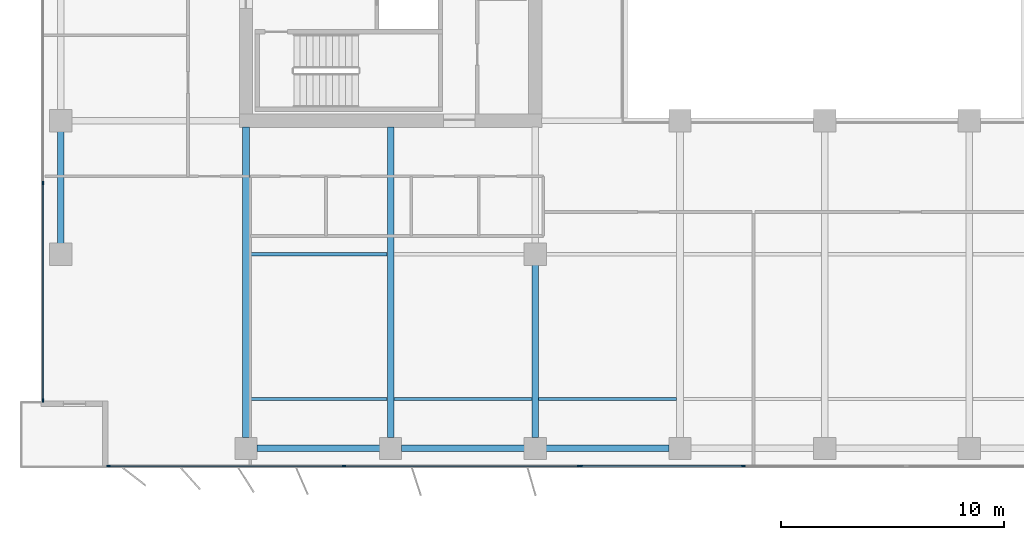
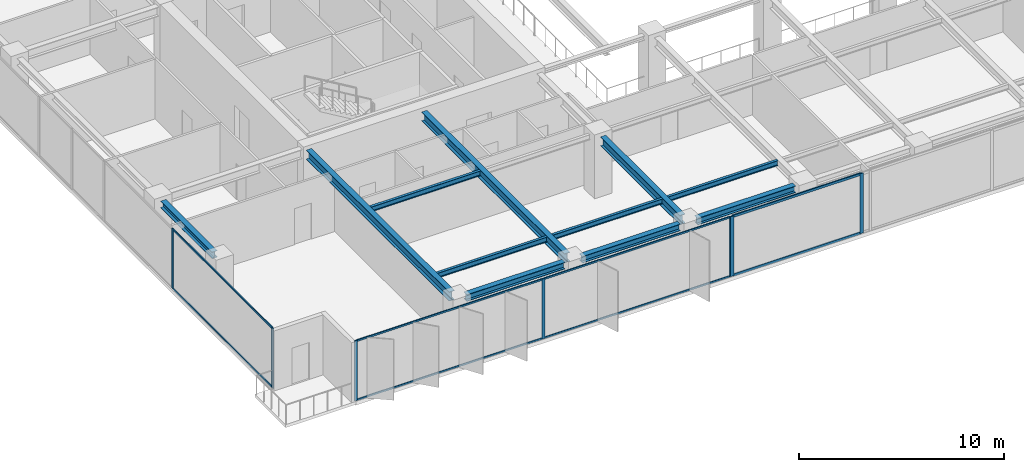
# One storey, part 2 of 22: 15 members, 11 beams, 3 elements without a shape of their own.
"""IFC4 building model written with IfcOpenShell, lengths in metres."""

from ifc_helpers import new_model, si_unit, direction, frame, origin, origin_2d, place, context, subcontext, project, spatial, rectangle, i_section, extrude, material, layer, layer_set, material_profile, profile_set, type_object, element, aggregate, save


model = new_model("IFC4")

# Units and contexts
model_context = context("Model", 3, precision=1e-05, world=origin(), true_north=direction((0.0, 1.0)))
body_context = subcontext(model_context, "Body", "Model", "MODEL_VIEW")
ifc_project = project(units=[si_unit("LENGTHUNIT", "METRE"), si_unit("AREAUNIT", "SQUARE_METRE"), si_unit("VOLUMEUNIT", "CUBIC_METRE"), si_unit("PLANEANGLEUNIT", "RADIAN"), si_unit("MASSUNIT", "GRAM", prefix="KILO")], contexts=[model_context])

# Site, building, storey
site_placement = place(None, origin())
site = spatial("IfcSite", under=ifc_project, at=site_placement, CompositionType="ELEMENT")
building_placement = place(site_placement, origin())
building = spatial("IfcBuilding", under=site, at=building_placement, Name="Putna Gate Headquarters", CompositionType="ELEMENT")
storey_placement = place(building_placement, frame((0.0, 0.0, 159.39990234375)))
storey = spatial("IfcBuildingStorey", under=building, at=storey_placement, Name="L39", CompositionType="ELEMENT", Elevation=159.39990234375)

# Beams
ifc_material_1 = material(Name="Steel S355J2", Category="steel")
ifc_material_profile_1 = material_profile(ifc_material_1, i_section(OverallWidth=0.300048828125, OverallDepth=0.550048828125, WebThickness=0.014892578125, FlangeThickness=0.029052734375, at=origin_2d()), Name="Steel S355J2")
ifc_profile_set_1 = profile_set([ifc_material_profile_1], Name="Steel S355J2")
beam_type_1 = type_object("IfcBeamType", Name="BM-GIRD-Z3-HEB550", PredefinedType="USERDEFINED", material=ifc_profile_set_1)
for number, where, z_axis, x_axis, name in (
    (1, (13.0, 4.76806640625, 3.297119140625), (0.0, 1.0, 0.0), (-1.0, 0.0, 0.0), "L39 South Primary Girder X13"),
    (2, (19.5, 4.76806640625, 3.297119140625), (0.0, 1.0, 0.0), (-1.0, 0.0, 0.0), "L39 South Primary Girder X19"),
):
    element("IfcBeam", number, at=place(storey_placement, frame(where, z_axis=z_axis, x_axis=x_axis)), inside=storey, type_object=beam_type_1, Name=name, ObjectType="GIRDER", PredefinedType="USERDEFINED", context=body_context, shape_type="SweptSolid", body=[
        extrude(i_section(OverallWidth=0.300048828125, OverallDepth=0.550048828125, WebThickness=0.014892578125, FlangeThickness=0.029052734375, at=origin_2d()), origin(), (0.0, 0.0, 1.0), 13.947021484375),
    ])
beam_1_placement = place(storey_placement, frame((26.0, 4.76806640625, 3.297119140625), z_axis=(0.0, 1.0, 0.0), x_axis=(-1.0, 0.0, 0.0)))
element("IfcBeam", 3, at=beam_1_placement, inside=storey, type_object=beam_type_1, Name="L39 South Primary Girder X26-1", ObjectType="GIRDER", PredefinedType="USERDEFINED", context=body_context, shape_type="SweptSolid", body=[
    extrude(i_section(OverallWidth=0.300048828125, OverallDepth=0.550048828125, WebThickness=0.014892578125, FlangeThickness=0.029052734375, at=origin_2d()), origin(), (0.0, 0.0, 1.0), 7.743896484375),
])
ifc_material_profile_2 = material_profile(ifc_material_1, i_section(OverallWidth=0.14990234375, OverallDepth=0.300048828125, WebThickness=0.007080078125, FlangeThickness=0.0107421875, at=origin_2d()), Name="Steel S355J2")
ifc_profile_set_2 = profile_set([ifc_material_profile_2], Name="Steel S355J2")
beam_type_2 = type_object("IfcBeamType", Name="BM-SEC-Z3-IPE300", PredefinedType="JOIST", material=ifc_profile_set_2)
for number, where, z_axis, x_axis, name in (
    (4, (13.154052734375, 6.5, 3.422119140625), (1.0, 0.0, 0.0), (0.0, 1.0, 0.0), "L39 South Secondary Beam 1"),
    (5, (13.154052734375, 13.0, 3.422119140625), (1.0, 0.0, 0.0), (0.0, 1.0, 0.0), "L39 South Secondary Beam 1"),
    (6, (19.654052734375, 6.5, 3.422119140625), (1.0, 0.0, 0.0), (0.0, 1.0, 0.0), "L39 South Secondary Beam 2"),
    (7, (26.154052734375, 6.5, 3.422119140625), (1.0, 0.0, 0.0), (0.0, 1.0, 0.0), "L39 South Secondary Beam 3"),
):
    element("IfcBeam", number, at=place(storey_placement, frame(where, z_axis=z_axis, x_axis=x_axis)), inside=storey, type_object=beam_type_2, Name=name, PredefinedType="JOIST", context=body_context, shape_type="SweptSolid", body=[
        extrude(i_section(OverallWidth=0.14990234375, OverallDepth=0.300048828125, WebThickness=0.007080078125, FlangeThickness=0.0107421875, at=origin_2d()), origin(), (0.0, 0.0, 1.0), 6.19189453125),
    ])
ifc_material_profile_3 = material_profile(ifc_material_1, i_section(OverallWidth=0.300048828125, OverallDepth=0.39990234375, WebThickness=0.013427734375, FlangeThickness=0.02392578125, at=origin_2d()), Name="Steel S355J2")
ifc_profile_set_3 = profile_set([ifc_material_profile_3], Name="Steel S355J2")
beam_type_3 = type_object("IfcBeamType", Name="BM-SPAN-Z3-HEB400", PredefinedType="SPANDREL", material=ifc_profile_set_3)
for number, where, z_axis, x_axis, name in (
    (8, (13.488037109375, 4.280029296875, 3.3720703125), (1.0, 0.0, 0.0), (0.0, 1.0, 0.0), "L39 S Perimeter Spandrel 1"),
    (9, (19.988037109375, 4.280029296875, 3.3720703125), (1.0, 0.0, 0.0), (0.0, 1.0, 0.0), "L39 S Perimeter Spandrel 2"),
    (10, (26.488037109375, 4.280029296875, 3.3720703125), (1.0, 0.0, 0.0), (0.0, 1.0, 0.0), "L39 S Perimeter Spandrel 3"),
):
    element("IfcBeam", number, at=place(storey_placement, frame(where, z_axis=z_axis, x_axis=x_axis)), inside=storey, type_object=beam_type_3, Name=name, PredefinedType="SPANDREL", context=body_context, shape_type="SweptSolid", body=[
        extrude(i_section(OverallWidth=0.300048828125, OverallDepth=0.39990234375, WebThickness=0.013427734375, FlangeThickness=0.02392578125, at=origin_2d()), origin(), (0.0, 0.0, 1.0), 5.52392578125),
    ])
beam_2_placement = place(storey_placement, frame((4.679931640625, 13.488037109375, 3.3720703125), z_axis=(0.0, 1.0, 0.0), x_axis=(-1.0, 0.0, 0.0)))
element("IfcBeam", 11, at=beam_2_placement, inside=storey, type_object=beam_type_3, Name="L39 W End Spandrel 1", PredefinedType="SPANDREL", context=body_context, shape_type="SweptSolid", body=[
    extrude(i_section(OverallWidth=0.300048828125, OverallDepth=0.39990234375, WebThickness=0.013427734375, FlangeThickness=0.02392578125, at=origin_2d()), origin(), (0.0, 0.0, 1.0), 5.02392578125),
])

# Curtain wall, members
ifc_material_2 = material(Name="Anodised bronze aluminium curtain wall", Category="aluminium")
ifc_layer_1 = layer(ifc_material_2, 0.159912109375)
ifc_layer_set_1 = layer_set([ifc_layer_1], Name="Anodised bronze aluminium curtain wall")
curtain_wall_type_1 = type_object("IfcCurtainWallType", Name="CW-SYS-Z3", PredefinedType="USERDEFINED", material=ifc_layer_set_1)
curtain_wall_1_placement = place(storey_placement, origin())
curtain_wall_1 = element("IfcCurtainWall", 12, at=curtain_wall_1_placement, inside=storey, type_object=curtain_wall_type_1, Name="L39 South West Curtain Wall", ObjectType="STICK CURTAIN WALL", PredefinedType="USERDEFINED")
ifc_material_3 = material(Name="Anodised bronze aluminium EN AW-6060", Category="aluminium")
ifc_material_profile_4 = material_profile(ifc_material_3, rectangle(XDim=0.06494140625, YDim=0.159912109375, at=origin_2d()), Name="Anodised bronze aluminium EN AW-6060")
ifc_profile_set_4 = profile_set([ifc_material_profile_4], Name="Anodised bronze aluminium EN AW-6060")
member_type_1 = type_object("IfcMemberType", Name="MULL-CWM-3", PredefinedType="MULLION", material=ifc_profile_set_4)
member_1_placement = place(storey_placement, frame((6.83251953125, 3.47998046875, 0.0), z_axis=(0.0, 0.0, 1.0), x_axis=(0.0, 1.0, 0.0)))
member_1 = element("IfcMember", 13, at=member_1_placement, type_object=member_type_1, Name="CWS-3 mullion 1", PredefinedType="MULLION", context=body_context, shape_type="SweptSolid", body=[
    extrude(rectangle(XDim=0.06494140625, YDim=0.159912109375, at=origin_2d()), origin(), (0.0, 0.0, 1.0), 3.572021484375),
])
member_2_placement = place(storey_placement, frame((17.39990234375, 3.47998046875, 0.0), z_axis=(0.0, 0.0, 1.0), x_axis=(0.0, 1.0, 0.0)))
member_2 = element("IfcMember", 14, at=member_2_placement, type_object=member_type_1, Name="CWS-3 mullion 2", PredefinedType="MULLION", context=body_context, shape_type="SweptSolid", body=[
    extrude(rectangle(XDim=0.06494140625, YDim=0.159912109375, at=origin_2d()), origin(), (0.0, 0.0, 1.0), 3.572021484375),
])
member_3_placement = place(storey_placement, frame((27.967529296875, 3.47998046875, 0.0), z_axis=(0.0, 0.0, 1.0), x_axis=(0.0, 1.0, 0.0)))
member_3 = element("IfcMember", 15, at=member_3_placement, type_object=member_type_1, Name="CWS-3 mullion 3", PredefinedType="MULLION", context=body_context, shape_type="SweptSolid", body=[
    extrude(rectangle(XDim=0.06494140625, YDim=0.159912109375, at=origin_2d()), origin(), (0.0, 0.0, 1.0), 3.572021484375),
])

curtain_wall_2_placement = place(storey_placement, origin())
curtain_wall_2 = element("IfcCurtainWall", 16, at=curtain_wall_2_placement, inside=storey, type_object=curtain_wall_type_1, Name="L39 West Curtain Wall", ObjectType="STICK CURTAIN WALL", PredefinedType="USERDEFINED")
member_4_placement = place(storey_placement, frame((3.8798828125, 6.4326171875, 0.0), z_axis=(0.0, 0.0, 1.0), x_axis=(-1.0, 0.0, 0.0)))
member_4 = element("IfcMember", 17, at=member_4_placement, type_object=member_type_1, Name="CWS-3 mullion 1", PredefinedType="MULLION", context=body_context, shape_type="SweptSolid", body=[
    extrude(rectangle(XDim=0.06494140625, YDim=0.159912109375, at=origin_2d()), origin(), (0.0, 0.0, 1.0), 3.572021484375),
])
member_5_placement = place(storey_placement, frame((3.8798828125, 16.199951171875, 0.0), z_axis=(0.0, 0.0, 1.0), x_axis=(-1.0, 0.0, 0.0)))
member_5 = element("IfcMember", 18, at=member_5_placement, type_object=member_type_1, Name="CWS-3 mullion 2", PredefinedType="MULLION", context=body_context, shape_type="SweptSolid", body=[
    extrude(rectangle(XDim=0.06494140625, YDim=0.159912109375, at=origin_2d()), origin(), (0.0, 0.0, 1.0), 3.572021484375),
])

ifc_layer_2 = layer(ifc_material_2, 0.179931640625)
ifc_layer_set_2 = layer_set([ifc_layer_2], Name="Anodised bronze aluminium curtain wall")
curtain_wall_type_2 = type_object("IfcCurtainWallType", Name="CW-SYS-ATR", PredefinedType="USERDEFINED", material=ifc_layer_set_2)
curtain_wall_3_placement = place(storey_placement, origin())
curtain_wall_3 = element("IfcCurtainWall", 19, at=curtain_wall_3_placement, inside=storey, type_object=curtain_wall_type_2, Name="L39 South Atrium Clear Glazing", ObjectType="ATRIUM GLAZING", PredefinedType="USERDEFINED")
ifc_material_profile_5 = material_profile(ifc_material_3, rectangle(XDim=0.070068359375, YDim=0.179931640625, at=origin_2d()), Name="Anodised bronze aluminium EN AW-6060")
ifc_profile_set_5 = profile_set([ifc_material_profile_5], Name="Anodised bronze aluminium EN AW-6060")
member_type_2 = type_object("IfcMemberType", Name="MULL-CWM-AT", PredefinedType="MULLION", material=ifc_profile_set_5)
member_6_placement = place(storey_placement, frame((28.034912109375, 3.47998046875, 0.0), z_axis=(0.0, 0.0, 1.0), x_axis=(0.0, 1.0, 0.0)))
member_6 = element("IfcMember", 20, at=member_6_placement, type_object=member_type_2, Name="CWS-AT mullion 1", PredefinedType="MULLION", context=body_context, shape_type="SweptSolid", body=[
    extrude(rectangle(XDim=0.070068359375, YDim=0.179931640625, at=origin_2d()), origin(), (0.0, 0.0, 1.0), 3.572021484375),
])
member_7_placement = place(storey_placement, frame((35.333251953125, 3.47998046875, 0.0), z_axis=(0.0, 0.0, 1.0), x_axis=(0.0, 1.0, 0.0)))
member_7 = element("IfcMember", 21, at=member_7_placement, type_object=member_type_2, Name="CWS-AT mullion 2", PredefinedType="MULLION", context=body_context, shape_type="SweptSolid", body=[
    extrude(rectangle(XDim=0.070068359375, YDim=0.179931640625, at=origin_2d()), origin(), (0.0, 0.0, 1.0), 3.572021484375),
])

# Member
ifc_material_profile_6 = material_profile(ifc_material_3, rectangle(XDim=0.06005859375, YDim=0.10009765625, at=origin_2d()), Name="Anodised bronze aluminium EN AW-6060")
ifc_profile_set_6 = profile_set([ifc_material_profile_6], Name="Anodised bronze aluminium EN AW-6060")
member_type_3 = type_object("IfcMemberType", Name="TRAN-CWT-3", PredefinedType="USERDEFINED", material=ifc_profile_set_6)
member_8_placement = place(storey_placement, frame((6.864990234375, 3.47998046875, 0.030029296875), z_axis=(1.0, 0.0, 0.0), x_axis=(0.0, 1.0, 0.0)))
member_8 = element("IfcMember", 22, at=member_8_placement, type_object=member_type_3, Name="CWS-3 transom 1.1", ObjectType="TRANSOM", PredefinedType="USERDEFINED", context=body_context, shape_type="SweptSolid", body=[
    extrude(rectangle(XDim=0.06005859375, YDim=0.10009765625, at=origin_2d()), origin(), (0.0, 0.0, 1.0), 10.50244140625),
])

member_9_placement = place(storey_placement, frame((6.864990234375, 3.47998046875, 3.5419921875), z_axis=(1.0, 0.0, 0.0), x_axis=(0.0, 1.0, 0.0)))
member_9 = element("IfcMember", 23, at=member_9_placement, type_object=member_type_3, Name="CWS-3 transom 1.2", ObjectType="TRANSOM", PredefinedType="USERDEFINED", context=body_context, shape_type="SweptSolid", body=[
    extrude(rectangle(XDim=0.06005859375, YDim=0.10009765625, at=origin_2d()), origin(), (0.0, 0.0, 1.0), 10.50244140625),
])

member_10_placement = place(storey_placement, frame((17.4326171875, 3.47998046875, 0.030029296875), z_axis=(1.0, 0.0, 0.0), x_axis=(0.0, 1.0, 0.0)))
member_10 = element("IfcMember", 24, at=member_10_placement, type_object=member_type_3, Name="CWS-3 transom 2.1", ObjectType="TRANSOM", PredefinedType="USERDEFINED", context=body_context, shape_type="SweptSolid", body=[
    extrude(rectangle(XDim=0.06005859375, YDim=0.10009765625, at=origin_2d()), origin(), (0.0, 0.0, 1.0), 10.50244140625),
])

member_11_placement = place(storey_placement, frame((17.4326171875, 3.47998046875, 3.5419921875), z_axis=(1.0, 0.0, 0.0), x_axis=(0.0, 1.0, 0.0)))
member_11 = element("IfcMember", 25, at=member_11_placement, type_object=member_type_3, Name="CWS-3 transom 2.2", ObjectType="TRANSOM", PredefinedType="USERDEFINED", context=body_context, shape_type="SweptSolid", body=[
    extrude(rectangle(XDim=0.06005859375, YDim=0.10009765625, at=origin_2d()), origin(), (0.0, 0.0, 1.0), 10.50244140625),
])

aggregate(curtain_wall_1, [member_1, member_2, member_3, member_8, member_9, member_10, member_11])

member_12_placement = place(storey_placement, frame((3.8798828125, 6.465087890625, 0.030029296875), z_axis=(0.0, 1.0, 0.0), x_axis=(-1.0, 0.0, 0.0)))
member_12 = element("IfcMember", 26, at=member_12_placement, type_object=member_type_3, Name="CWS-3 transom 1.1", ObjectType="TRANSOM", PredefinedType="USERDEFINED", context=body_context, shape_type="SweptSolid", body=[
    extrude(rectangle(XDim=0.06005859375, YDim=0.10009765625, at=origin_2d()), origin(), (0.0, 0.0, 1.0), 9.702392578125),
])

member_13_placement = place(storey_placement, frame((3.8798828125, 6.465087890625, 3.5419921875), z_axis=(0.0, 1.0, 0.0), x_axis=(-1.0, 0.0, 0.0)))
member_13 = element("IfcMember", 27, at=member_13_placement, type_object=member_type_3, Name="CWS-3 transom 1.2", ObjectType="TRANSOM", PredefinedType="USERDEFINED", context=body_context, shape_type="SweptSolid", body=[
    extrude(rectangle(XDim=0.06005859375, YDim=0.10009765625, at=origin_2d()), origin(), (0.0, 0.0, 1.0), 9.702392578125),
])

aggregate(curtain_wall_2, [member_4, member_5, member_12, member_13])

ifc_material_profile_7 = material_profile(ifc_material_3, rectangle(XDim=0.070068359375, YDim=0.139892578125, at=origin_2d()), Name="Anodised bronze aluminium EN AW-6060")
ifc_profile_set_7 = profile_set([ifc_material_profile_7], Name="Anodised bronze aluminium EN AW-6060")
member_type_4 = type_object("IfcMemberType", Name="TRAN-CWT-AT", PredefinedType="USERDEFINED", material=ifc_profile_set_7)
member_14_placement = place(storey_placement, frame((28.070068359375, 3.47998046875, 0.03515625), z_axis=(1.0, 0.0, 0.0), x_axis=(0.0, 1.0, 0.0)))
member_14 = element("IfcMember", 28, at=member_14_placement, type_object=member_type_4, Name="CWS-AT transom 1.1", ObjectType="TRANSOM", PredefinedType="USERDEFINED", context=body_context, shape_type="SweptSolid", body=[
    extrude(rectangle(XDim=0.070068359375, YDim=0.139892578125, at=origin_2d()), origin(), (0.0, 0.0, 1.0), 7.228271484375),
])

member_15_placement = place(storey_placement, frame((28.070068359375, 3.47998046875, 3.537109375), z_axis=(1.0, 0.0, 0.0), x_axis=(0.0, 1.0, 0.0)))
member_15 = element("IfcMember", 29, at=member_15_placement, type_object=member_type_4, Name="CWS-AT transom 1.2", ObjectType="TRANSOM", PredefinedType="USERDEFINED", context=body_context, shape_type="SweptSolid", body=[
    extrude(rectangle(XDim=0.070068359375, YDim=0.139892578125, at=origin_2d()), origin(), (0.0, 0.0, 1.0), 7.228271484375),
])

aggregate(curtain_wall_3, [member_6, member_7, member_14, member_15])

save(model, "model.ifc")
